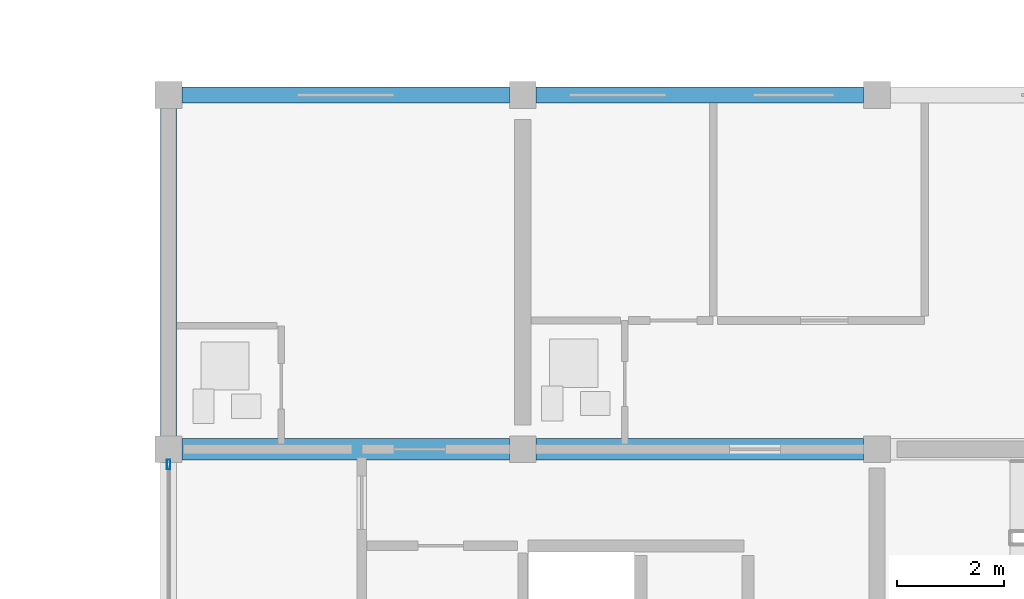
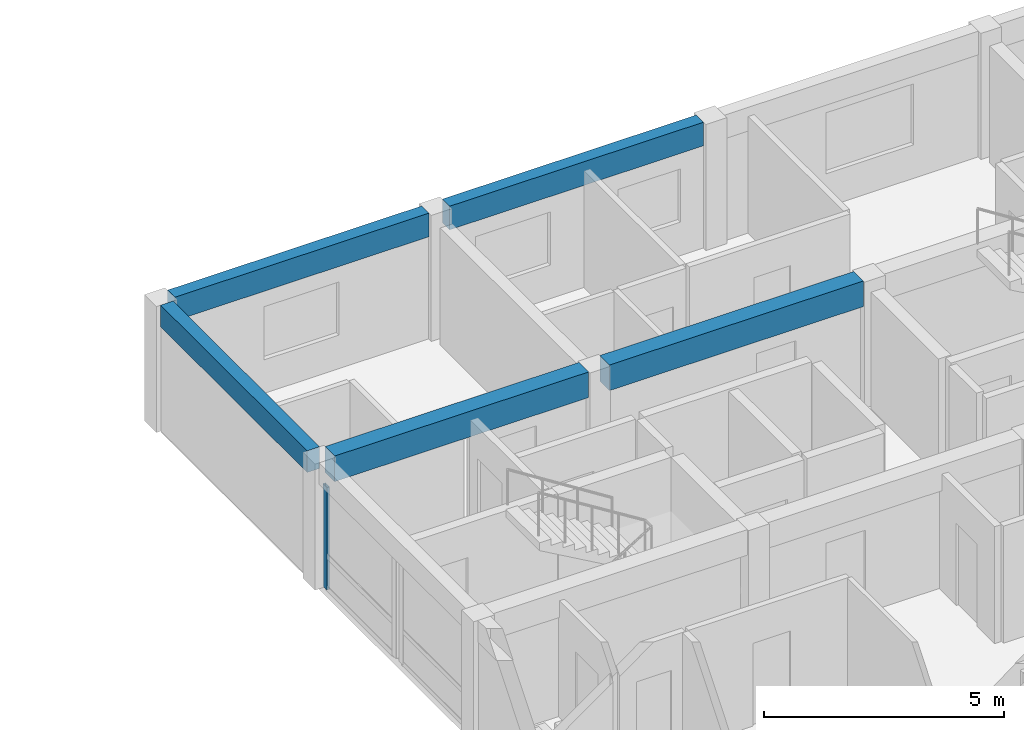
# One storey, part 20 of 49: 5 beams, 1 member, 1 element without a shape of its own.
"""IFC4 building model written with IfcOpenShell, lengths in metres."""

from ifc_helpers import new_model, si_unit, direction, frame, origin, origin_2d, place, context, subcontext, project, spatial, rectangle, hollow_rectangle, extrude, material, material_profile, profile_set, type_object, element, aggregate, save


model = new_model("IFC4")

# Units and contexts
model_context = context("Model", 3, precision=1e-05, world=origin(), true_north=direction((0.0, 1.0)))
body_context = subcontext(model_context, "Body", "Model", "MODEL_VIEW")
ifc_project = project(units=[si_unit("LENGTHUNIT", "METRE"), si_unit("AREAUNIT", "SQUARE_METRE"), si_unit("VOLUMEUNIT", "CUBIC_METRE"), si_unit("PLANEANGLEUNIT", "RADIAN"), si_unit("MASSUNIT", "GRAM", prefix="KILO")], contexts=[model_context])

# Site, building, storey
site_placement = place(None, origin())
site = spatial("IfcSite", under=ifc_project, at=site_placement, CompositionType="ELEMENT")
building_placement = place(site_placement, origin())
building = spatial("IfcBuilding", under=site, at=building_placement, Name="Kernevlak Ridge Housing Community", CompositionType="ELEMENT")
storey_placement = place(building_placement, frame((0.0, 0.0, 30.800048828125)))
storey = spatial("IfcBuildingStorey", under=building, at=storey_placement, Name="L09", CompositionType="ELEMENT", Elevation=30.800048828125)

# Beams
ifc_material_1 = material(Name="Concrete C35/45", Category="concrete")
ifc_material_profile_1 = material_profile(ifc_material_1, rectangle(XDim=0.39990234375, YDim=0.64990234375, at=origin_2d()), Name="RC 400x650")
ifc_profile_set_1 = profile_set([ifc_material_profile_1], Name="Concrete C35/45")
beam_type_1 = type_object("IfcBeamType", Name="B-03", PredefinedType="T_BEAM", material=ifc_profile_set_1)
for number, where, z_axis, x_axis, name in (
    (1, (119.64990234375, 95.800048828125, 2.875), (1.0, 0.0, 0.0), (0.0, 1.0, 0.0), "Beam B-03 L09 821"),
    (2, (126.25, 95.800048828125, 2.875), (1.0, 0.0, 0.0), (0.0, 1.0, 0.0), "Beam B-03 L09 822"),
):
    element("IfcBeam", number, at=place(storey_placement, frame(where, z_axis=z_axis, x_axis=x_axis)), inside=storey, type_object=beam_type_1, Name=name, PredefinedType="T_BEAM", context=body_context, shape_type="SweptSolid", body=[
        extrude(rectangle(XDim=0.39990234375, YDim=0.64990234375, at=origin_2d()), origin(), (0.0, 0.0, 1.0), 6.10009765625),
    ])

# Curtain wall, member
ifc_material_2 = material(Name="Aluminium EN AW-6060 anodised and laminated glass", Category="aluminium")
curtain_wall_type = type_object("IfcCurtainWallType", Name="CW-10", PredefinedType="NOTDEFINED", material=ifc_material_2)
curtain_wall_placement = place(storey_placement, origin())
curtain_wall = element("IfcCurtainWall", 3, at=curtain_wall_placement, inside=storey, type_object=curtain_wall_type, Name="Curtain wall CW-10 CW-L09-083", PredefinedType="NOTDEFINED")
ifc_material_3 = material(Name="Aluminium EN AW-6060 anodised", Category="aluminium")
ifc_material_profile_2 = material_profile(ifc_material_3, hollow_rectangle(XDim=0.06494140625, YDim=0.179931640625, WallThickness=0.00439453125, InnerFilletRadius=0.001953125, OuterFilletRadius=0.00439453125, at=origin_2d()), Name="ALU 65x180x4.5")
ifc_profile_set_2 = profile_set([ifc_material_profile_2], Name="Aluminium EN AW-6060 anodised")
member_type = type_object("IfcMemberType", Name="MU-03", PredefinedType="MULLION", material=ifc_profile_set_2)
member_placement = place(storey_placement, frame((119.39990234375, 95.517578125, 0.0), z_axis=(0.0, 0.0, 1.0), x_axis=(-1.0, 0.0, 0.0)))
member = element("IfcMember", 4, at=member_placement, type_object=member_type, Name="CW-10 mullion 2", PredefinedType="MULLION", context=body_context, shape_type="SweptSolid", body=[
    extrude(hollow_rectangle(XDim=0.06494140625, YDim=0.179931640625, WallThickness=0.00439453125, InnerFilletRadius=0.001953125, OuterFilletRadius=0.00439453125, at=origin_2d()), origin(), (0.0, 0.0, 1.0), 2.599853515625),
])
aggregate(curtain_wall, [member])

# Beams
ifc_material_profile_3 = material_profile(ifc_material_1, rectangle(XDim=0.300048828125, YDim=0.550048828125, at=origin_2d()), Name="RC 300x550")
ifc_profile_set_3 = profile_set([ifc_material_profile_3], Name="Concrete C35/45")
beam_type_2 = type_object("IfcBeamType", Name="SP-01", PredefinedType="SPANDREL", material=ifc_profile_set_3)
beam_placement = place(storey_placement, frame((119.39990234375, 96.050048828125, 2.925048828125), z_axis=(0.0, 1.0, 0.0), x_axis=(-1.0, 0.0, 0.0)))
element("IfcBeam", 5, at=beam_placement, inside=storey, type_object=beam_type_2, Name="Beam SP-01 L09 833", PredefinedType="SPANDREL", context=body_context, shape_type="SweptSolid", body=[
    extrude(rectangle(XDim=0.300048828125, YDim=0.550048828125, at=origin_2d()), origin(), (0.0, 0.0, 1.0), 6.099853515625),
])
ifc_material_profile_4 = material_profile(ifc_material_1, rectangle(XDim=0.300048828125, YDim=0.60009765625, at=origin_2d()), Name="RC 300x600")
ifc_profile_set_4 = profile_set([ifc_material_profile_4], Name="Concrete C35/45")
beam_type_3 = type_object("IfcBeamType", Name="SP-02", PredefinedType="SPANDREL", material=ifc_profile_set_4)
for number, where, z_axis, x_axis, name in (
    (6, (119.64990234375, 102.39990234375, 2.89990234375), (1.0, 0.0, 0.0), (0.0, 1.0, 0.0), "Beam SP-02 L09 826"),
    (7, (126.25, 102.39990234375, 2.89990234375), (1.0, 0.0, 0.0), (0.0, 1.0, 0.0), "Beam SP-02 L09 827"),
):
    element("IfcBeam", number, at=place(storey_placement, frame(where, z_axis=z_axis, x_axis=x_axis)), inside=storey, type_object=beam_type_3, Name=name, PredefinedType="SPANDREL", context=body_context, shape_type="SweptSolid", body=[
        extrude(rectangle(XDim=0.300048828125, YDim=0.60009765625, at=origin_2d()), origin(), (0.0, 0.0, 1.0), 6.10009765625),
    ])

save(model, "model.ifc")
